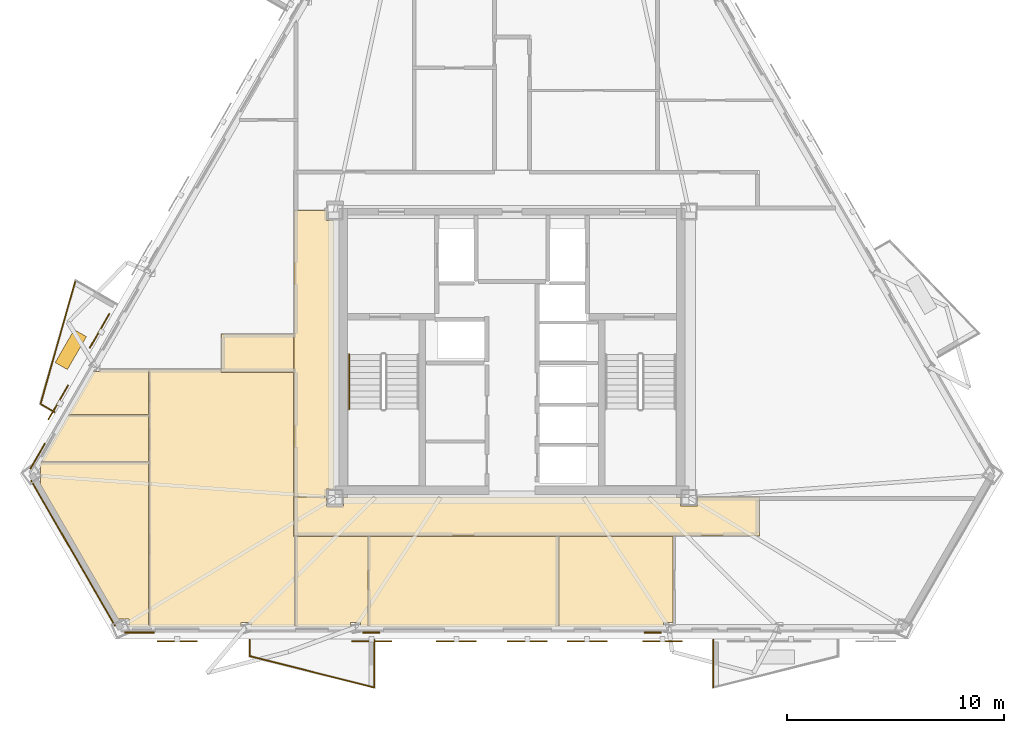
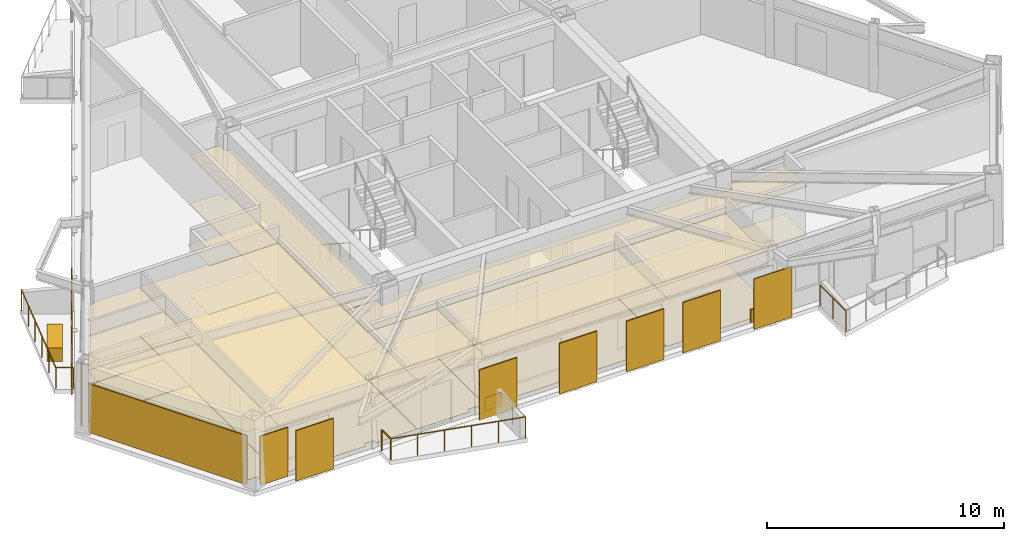
# One storey, part 7 of 9: 26 coverings, 8 shading devices, 7 railings.
"""IFC4 building model written with IfcOpenShell, lengths in metres."""

import ifcopenshell
import ifcopenshell.guid

model = None  # the IFC model being written
_history = None  # IfcOwnerHistory: only IFC2X3 demands one
_inside = {}  # id of a spatial element -> (the spatial element, [elements in it])
_under = {}  # id of a project, library or spatial element -> (it, [spatial elements below it])
_declared = {}  # id of a project -> (the project, [libraries it declares])
_typed = {}  # id of a type object -> (the type object, [elements of that type])
_made_of = {}  # id of a material, layer set ... -> (it, [elements and type objects made of it])


def new_model(schema):
    """Start an empty IFC model of exactly this schema.

    Asked for "IFC4X3", IfcOpenShell would pick the latest addendum, in which some entities
    have other attributes; the version numbers below select the first issue.
    IFC2X3 requires an IfcOwnerHistory on every rooted entity: one is made here for all.
    """
    global model, _history
    if schema == "IFC4X3":
        model = ifcopenshell.file(schema_version=(4, 3, 0, 0))
    else:
        model = ifcopenshell.file(schema=schema)
    _inside.clear()
    _under.clear()
    _declared.clear()
    _typed.clear()
    _made_of.clear()
    _history = None
    if model.schema == "IFC2X3":
        org = make("IfcOrganization", Name="unknown")
        user = make(
            "IfcPersonAndOrganization",
            ThePerson=make("IfcPerson", FamilyName="unknown"),
            TheOrganization=org,
        )
        app = make(
            "IfcApplication",
            ApplicationDeveloper=org,
            Version="unknown",
            ApplicationFullName="unknown",
            ApplicationIdentifier="unknown",
        )
        _history = make(
            "IfcOwnerHistory",
            OwningUser=user,
            OwningApplication=app,
            ChangeAction="ADDED",
            CreationDate=0,
        )
    return model


def make(cls, **values):
    """One entity of the class cls with the attributes given. An attribute that is None is left unset."""
    return model.create_entity(
        cls, **{name: value for name, value in values.items() if value is not None}
    )


def rooted(cls, **values):
    """An entity with a GlobalId (a new one), such as an element, a storey or a relation."""
    return make(cls, GlobalId=ifcopenshell.guid.new(), OwnerHistory=_history, **values)


def si_unit(unit_type, name, prefix=None):
    """IfcSIUnit, for example si_unit("LENGTHUNIT", "METRE", prefix="MILLI")."""
    return make("IfcSIUnit", UnitType=unit_type, Prefix=prefix, Name=name)


def assignment(units):
    """IfcUnitAssignment: the units of a project."""
    return None if units is None else make("IfcUnitAssignment", Units=units)


def point(xyz):
    """IfcCartesianPoint."""
    return None if xyz is None else make("IfcCartesianPoint", Coordinates=xyz)


def direction(xyz):
    """IfcDirection."""
    return None if xyz is None else make("IfcDirection", DirectionRatios=xyz)


def frame(location, z_axis=None, x_axis=None):
    """IfcAxis2Placement3D, a coordinate frame: its origin and axes. An axis left out is left unset."""
    return make(
        "IfcAxis2Placement3D",
        Location=point(location),
        Axis=direction(z_axis),
        RefDirection=direction(x_axis),
    )


def frame_2d(location, x_axis=None):
    """IfcAxis2Placement2D, a coordinate frame in the plane: its origin and x axis."""
    return make(
        "IfcAxis2Placement2D", Location=point(location), RefDirection=direction(x_axis)
    )


def origin():
    """The frame at (0, 0, 0) with its axes left unset."""
    return frame((0.0, 0.0, 0.0))


def origin_2d():
    """The frame at (0, 0) in the plane with its x axis left unset."""
    return frame_2d((0.0, 0.0))


def place(relative_to, where):
    """IfcLocalPlacement: puts the frame where relative to a parent placement (None: the world)."""
    return make(
        "IfcLocalPlacement", PlacementRelTo=relative_to, RelativePlacement=where
    )


def context(
    kind, dimensions, precision=None, world=None, true_north=None, identifier=None
):
    """IfcGeometricRepresentationContext, for example the 3D "Model" context."""
    return make(
        "IfcGeometricRepresentationContext",
        ContextIdentifier=identifier,
        ContextType=kind,
        CoordinateSpaceDimension=dimensions,
        Precision=precision,
        WorldCoordinateSystem=world,
        TrueNorth=true_north,
    )


def subcontext(parent, identifier, kind, view, scale=None):
    """IfcGeometricRepresentationSubContext, for example "Body" below "Model"."""
    return make(
        "IfcGeometricRepresentationSubContext",
        ContextIdentifier=identifier,
        ContextType=kind,
        ParentContext=parent,
        TargetScale=scale,
        TargetView=view,
    )


def project(units=None, contexts=None):
    """IfcProject with its units and contexts."""
    return rooted(
        "IfcProject",
        Name="project",
        RepresentationContexts=contexts,
        UnitsInContext=assignment(units),
    )


def spatial(cls, under=None, at=None, **own):
    """A site, building, storey or space (cls), placed at a placement, below another one or the project."""
    s = rooted(cls, ObjectPlacement=at, **own)
    if under is not None:
        _under.setdefault(under.id(), (under, []))[1].append(s)
    return s


def polyline(points):
    """IfcPolyline through the points."""
    return make("IfcPolyline", Points=[point(p) for p in points])


def profile(cls, at=None, kind="AREA", **sizes):
    """A parametric profile (cls). Its sizes go by their IFC names, for example OverallWidth=200.0."""
    return make(cls, ProfileType=kind, Position=at, **sizes)


def rectangle(**sizes):
    """IfcRectangleProfileDef."""
    return profile("IfcRectangleProfileDef", **sizes)


def circle(**sizes):
    """IfcCircleProfileDef."""
    return profile("IfcCircleProfileDef", **sizes)


def outline(outer, holes=None, kind="AREA"):
    """IfcArbitraryClosedProfileDef: a profile drawn as a closed curve; with holes, ...WithVoids."""
    if holes is None:
        return make("IfcArbitraryClosedProfileDef", ProfileType=kind, OuterCurve=outer)
    return make(
        "IfcArbitraryProfileDefWithVoids",
        ProfileType=kind,
        OuterCurve=outer,
        InnerCurves=holes,
    )


def extrude(swept, where, along, depth):
    """IfcExtrudedAreaSolid: the profile swept, set in the frame where, extruded along a direction by depth."""
    return make(
        "IfcExtrudedAreaSolid",
        SweptArea=swept,
        Position=where,
        ExtrudedDirection=direction(along),
        Depth=depth,
    )


def shape(context_of_items, identifier, shape_type, items):
    """IfcShapeRepresentation: the items that make up one representation, for example the "Body"."""
    return make(
        "IfcShapeRepresentation",
        ContextOfItems=context_of_items,
        RepresentationIdentifier=identifier,
        RepresentationType=shape_type,
        Items=items,
    )


def material(Name=None, Category=None):
    """IfcMaterial."""
    return make("IfcMaterial", Name=Name, Category=Category)


def layer(
    of_material, thickness, ventilated=None, Name=None, Category=None, Priority=None
):
    """IfcMaterialLayer: one layer of a wall or slab, of a material (None: an air gap)."""
    return make(
        "IfcMaterialLayer",
        Material=of_material,
        LayerThickness=thickness,
        IsVentilated=ventilated,
        Name=Name,
        Category=Category,
        Priority=Priority,
    )


def layer_set(layers, Name=None):
    """IfcMaterialLayerSet."""
    return make("IfcMaterialLayerSet", MaterialLayers=layers, LayerSetName=Name)


def made_of(thing, what):
    """Note that an element or type object is made of a material, layer set ...; save() writes the relation."""
    if what is not None:
        _made_of.setdefault(what.id(), (what, []))[1].append(thing)
    return thing


def type_object(cls, material=None, **own):
    """A type object (cls), such as IfcWallType, which elements share."""
    return made_of(rooted(cls, **own), material)


def element(
    cls,
    number,
    at=None,
    inside=None,
    cuts=None,
    type_object=None,
    material=None,
    context=None,
    identifier="Body",
    shape_type=None,
    held_by="IfcProductDefinitionShape",
    body=None,
    shapes=None,
    **own,
):
    """One element of the class cls, such as IfcWall. Its Tag is "e" and its number.

    at: its placement. inside: the storey or other place that contains it. cuts: it is an
    opening in that element (IfcRelVoidsElement). A single representation is given by context,
    identifier, shape_type and body (its items); several are given by shapes. held_by: the class
    of the entity that holds the representations. save() writes the other relations.
    """
    e = rooted(cls, Tag="e%d" % number, ObjectPlacement=at, **own)
    if body is not None:
        shapes = [shape(context, identifier, shape_type, body)]
    if shapes is not None:
        e.Representation = make(held_by, Representations=shapes)
    if inside is not None:
        _inside.setdefault(inside.id(), (inside, []))[1].append(e)
    if cuts is not None:
        rooted(
            "IfcRelVoidsElement", RelatingBuildingElement=cuts, RelatedOpeningElement=e
        )
    if type_object is not None:
        _typed.setdefault(type_object.id(), (type_object, []))[1].append(e)
    return made_of(e, material)


def aggregate(whole, parts):
    """IfcRelAggregates: a whole, such as a stair, and the parts it consists of."""
    return rooted("IfcRelAggregates", RelatingObject=whole, RelatedObjects=parts)


def save(model, path):
    """Write the relations noted so far, then the file.

    IfcRelAggregates (storeys below a building ...), IfcRelContainedInSpatialStructure (elements
    in a storey), IfcRelDefinesByType, IfcRelAssociatesMaterial and IfcRelDeclares: one each for
    every whole, place, type object, material and project.
    """
    for whole, parts in _under.values():
        aggregate(whole, parts)
    for where, things in _inside.values():
        rooted(
            "IfcRelContainedInSpatialStructure",
            RelatedElements=things,
            RelatingStructure=where,
        )
    for kind, things in _typed.values():
        rooted("IfcRelDefinesByType", RelatedObjects=things, RelatingType=kind)
    for what, things in _made_of.values():
        rooted("IfcRelAssociatesMaterial", RelatedObjects=things, RelatingMaterial=what)
    for by, libraries in _declared.values():
        rooted("IfcRelDeclares", RelatingContext=by, RelatedDefinitions=libraries)
    model.write(path)


model = new_model("IFC4")

# Units and contexts
model_context = context("Model", 3, precision=1e-05, world=origin(), true_north=direction((0.0, 1.0)))
body_context = subcontext(model_context, "Body", "Model", "MODEL_VIEW")
ifc_project = project(units=[si_unit("LENGTHUNIT", "METRE"), si_unit("AREAUNIT", "SQUARE_METRE"), si_unit("VOLUMEUNIT", "CUBIC_METRE"), si_unit("PLANEANGLEUNIT", "RADIAN"), si_unit("MASSUNIT", "GRAM", prefix="KILO")], contexts=[model_context])

# Site, building, storey
site_placement = place(None, origin())
site = spatial("IfcSite", under=ifc_project, at=site_placement, CompositionType="ELEMENT")
building_placement = place(site_placement, origin())
building = spatial("IfcBuilding", under=site, at=building_placement, Name="Oramaril Tower", CompositionType="ELEMENT")
storey_placement = place(building_placement, frame((0.0, 0.0, 178.199951171875)))
storey = spatial("IfcBuildingStorey", under=building, at=storey_placement, Name="L47", CompositionType="ELEMENT", Elevation=178.199951171875)

# Coverings
ifc_material_1 = material(Name="Mineral Fibre Acoustic Ceiling")
ifc_layer_1 = layer(ifc_material_1, 0.02001953125)
ifc_layer_set_1 = layer_set([ifc_layer_1], Name="CVT-CEIL")
covering_type_1 = type_object("IfcCoveringType", Name="CVT-CEIL", PredefinedType="CEILING", material=ifc_layer_set_1)
covering_1_placement = place(storey_placement, frame((0.0, 0.0, 2.511962890625)))
element("IfcCovering", 1, at=covering_1_placement, inside=storey, type_object=covering_type_1, Name="L47 Acoustic Suspended Ceiling 1", PredefinedType="CEILING", context=body_context, shape_type="SweptSolid", body=[
    extrude(outline(polyline([(28.955078125, 10.60498046875), (29.7451171875, 10.60498046875), (29.7451171875, 11.030029296875), (45.2548828125, 11.030029296875), (45.2548828125, 10.60498046875), (46.044921875, 10.60498046875), (46.044921875, 11.030029296875), (48.8798828125, 11.030029296875), (48.8798828125, 9.219970703125), (27.469970703125, 9.219970703125), (27.469970703125, 11.030029296875), (28.955078125, 11.030029296875), (28.955078125, 10.60498046875)])), origin(), (0.0, 0.0, 1.0), 0.02001953125),
])
covering_2_placement = place(storey_placement, frame((0.0, 0.0, 2.511962890625)))
element("IfcCovering", 2, at=covering_2_placement, inside=storey, type_object=covering_type_1, Name="L47 Acoustic Suspended Ceiling 3", PredefinedType="CEILING", context=body_context, shape_type="SweptSolid", body=[
    extrude(outline(polyline([(28.955078125, 23.7548828125), (29.280029296875, 23.7548828125), (29.280029296875, 11.39501953125), (28.955078125, 11.39501953125), (28.955078125, 11.050048828125), (27.469970703125, 11.050048828125), (27.469970703125, 24.219970703125), (28.955078125, 24.219970703125), (28.955078125, 23.7548828125)])), origin(), (0.0, 0.0, 1.0), 0.02001953125),
])
covering_3_placement = place(storey_placement, frame((0.0, 0.0, 2.511962890625)))
element("IfcCovering", 3, at=covering_3_placement, inside=storey, type_object=covering_type_1, Name="L47 Acoustic Suspended Ceiling 5", PredefinedType="CEILING", context=body_context, shape_type="SweptSolid", body=[
    extrude(outline(polyline([(24.1201171875, 16.77001953125), (24.1201171875, 18.530029296875), (27.449951171875, 18.530029296875), (27.449951171875, 16.77001953125), (24.1201171875, 16.77001953125)])), origin(), (0.0, 0.0, 1.0), 0.02001953125),
])
covering_4_placement = place(storey_placement, frame((0.0, 0.0, 2.511962890625)))
element("IfcCovering", 4, at=covering_4_placement, inside=storey, type_object=covering_type_1, Name="L47 Acoustic Suspended Ceiling 6", PredefinedType="CEILING", context=body_context, shape_type="SweptSolid", body=[
    extrude(outline(polyline([(30.882080078125, 5.064697265625), (30.882080078125, 9.199951171875), (39.64208984375, 9.199951171875), (39.64208984375, 5.064697265625), (30.882080078125, 5.064697265625)])), origin(), (0.0, 0.0, 1.0), 0.02001953125),
])
covering_5_placement = place(storey_placement, frame((0.0, 0.0, 2.511962890625)))
element("IfcCovering", 5, at=covering_5_placement, inside=storey, type_object=covering_type_1, Name="L47 Acoustic Suspended Ceiling 7", PredefinedType="CEILING", context=body_context, shape_type="SweptSolid", body=[
    extrude(outline(polyline([(30.52099609375, 5.248291015625), (30.06982421875, 5.248291015625), (30.06982421875, 5.064697265625), (27.508056640625, 5.064697265625), (27.508056640625, 9.199951171875), (30.862060546875, 9.199951171875), (30.862060546875, 5.064697265625), (30.52099609375, 5.064697265625), (30.52099609375, 5.248291015625)])), origin(), (0.0, 0.0, 1.0), 0.02001953125),
])
covering_6_placement = place(storey_placement, frame((0.0, 0.0, 2.511962890625)))
element("IfcCovering", 6, at=covering_6_placement, inside=storey, type_object=covering_type_1, Name="L47 Acoustic Suspended Ceiling 9", PredefinedType="CEILING", context=body_context, shape_type="SweptSolid", body=[
    extrude(outline(polyline([(44.47900390625, 5.248291015625), (44.47900390625, 5.064697265625), (39.662109375, 5.064697265625), (39.662109375, 9.199951171875), (44.9091796875, 9.199951171875), (44.9091796875, 5.248291015625), (44.47900390625, 5.248291015625)])), origin(), (0.0, 0.0, 1.0), 0.02001953125),
])
covering_7_placement = place(storey_placement, frame((0.0, 0.0, 2.511962890625)))
element("IfcCovering", 7, at=covering_7_placement, inside=storey, type_object=covering_type_1, Name="L47 Acoustic Suspended Ceiling 10", PredefinedType="CEILING", context=body_context, shape_type="SweptSolid", body=[
    extrude(outline(polyline([(25.482177734375, 5.064697265625), (25.482177734375, 5.248291015625), (25.022216796875, 5.248291015625), (25.022216796875, 5.064697265625), (20.7939453125, 5.064697265625), (20.7939453125, 16.89208984375), (24.10009765625, 16.89208984375), (24.10009765625, 16.77001953125), (24.10009765625, 16.76806640625), (24.100341796875, 16.76611328125), (24.100830078125, 16.76416015625), (24.1015625, 16.76220703125), (24.102294921875, 16.760498046875), (24.103515625, 16.7587890625), (24.1044921875, 16.75732421875), (24.10595703125, 16.755859375), (24.107421875, 16.75439453125), (24.10888671875, 16.75341796875), (24.110595703125, 16.75244140625), (24.1123046875, 16.75146484375), (24.1142578125, 16.7509765625), (24.1162109375, 16.75048828125), (24.117919921875, 16.75), (24.1201171875, 16.75), (27.449951171875, 16.75), (27.449951171875, 11.050048828125), (27.4501953125, 11.048095703125), (27.450439453125, 11.046142578125), (27.450927734375, 11.044189453125), (27.451416015625, 11.042236328125), (27.452392578125, 11.04052734375), (27.45263671875, 11.0400390625), (27.452392578125, 11.039306640625), (27.451416015625, 11.03759765625), (27.450927734375, 11.035888671875), (27.450439453125, 11.033935546875), (27.4501953125, 11.031982421875), (27.449951171875, 11.030029296875), (27.449951171875, 9.219970703125), (27.4501953125, 9.218017578125), (27.450439453125, 9.216064453125), (27.450927734375, 9.214111328125), (27.451416015625, 9.21240234375), (27.452392578125, 9.210693359375), (27.453369140625, 9.208984375), (27.45458984375, 9.207275390625), (27.455810546875, 9.205810546875), (27.457275390625, 9.20458984375), (27.458984375, 9.203369140625), (27.460693359375, 9.202392578125), (27.46240234375, 9.201416015625), (27.464111328125, 9.200927734375), (27.466064453125, 9.200439453125), (27.468017578125, 9.2001953125), (27.469970703125, 9.199951171875), (27.488037109375, 9.199951171875), (27.488037109375, 5.064697265625), (25.482177734375, 5.064697265625)])), origin(), (0.0, 0.0, 1.0), 0.02001953125),
])
covering_8_placement = place(storey_placement, frame((0.0, 0.0, 2.511962890625)))
element("IfcCovering", 8, at=covering_8_placement, inside=storey, type_object=covering_type_1, Name="L47 Acoustic Suspended Ceiling 11", PredefinedType="CEILING", context=body_context, shape_type="SweptSolid", body=[
    extrude(outline(polyline([(19.8740234375, 5.064697265625), (19.8740234375, 5.39892578125), (19.373291015625, 5.39892578125), (15.76220703125, 11.65380859375), (15.8046875, 11.65380859375), (15.8046875, 12.45654296875), (15.72607421875, 12.45654296875), (15.832763671875, 12.6416015625), (20.77392578125, 12.6416015625), (20.77392578125, 5.064697265625), (19.8740234375, 5.064697265625)])), origin(), (0.0, 0.0, 1.0), 0.02001953125),
])
covering_9_placement = place(storey_placement, frame((0.0, 0.0, 2.511962890625)))
element("IfcCovering", 9, at=covering_9_placement, inside=storey, type_object=covering_type_1, Name="L47 Acoustic Suspended Ceiling 12", PredefinedType="CEILING", context=body_context, shape_type="SweptSolid", body=[
    extrude(outline(polyline([(17.080810546875, 14.80322265625), (20.77392578125, 14.80322265625), (20.77392578125, 12.66162109375), (15.84423828125, 12.66162109375), (17.080810546875, 14.80322265625)])), origin(), (0.0, 0.0, 1.0), 0.02001953125),
])
covering_10_placement = place(storey_placement, frame((0.0, 0.0, 2.511962890625)))
element("IfcCovering", 10, at=covering_10_placement, inside=storey, type_object=covering_type_1, Name="L47 Acoustic Suspended Ceiling 13", PredefinedType="CEILING", context=body_context, shape_type="SweptSolid", body=[
    extrude(outline(polyline([(18.233642578125, 16.800048828125), (18.538330078125, 16.800048828125), (18.538330078125, 16.89208984375), (20.77392578125, 16.89208984375), (20.77392578125, 14.8232421875), (17.09228515625, 14.8232421875), (18.233642578125, 16.800048828125)])), origin(), (0.0, 0.0, 1.0), 0.02001953125),
])
ifc_material_2 = material(Name="Warm Cream Limestone", Category="masonry")
ifc_layer_2 = layer(ifc_material_2, 0.050048828125)
ifc_layer_set_2 = layer_set([ifc_layer_2], Name="CVT-CLD")
covering_type_2 = type_object("IfcCoveringType", Name="CVT-CLD", PredefinedType="CLADDING", material=ifc_layer_set_2)
covering_11_placement = place(storey_placement, frame((17.30029296875, 8.437744140625, 0.0400390625), z_axis=(0.0, 0.0, 1.0), x_axis=(0.5, -0.866025403784, 0.0)))
element("IfcCovering", 11, at=covering_11_placement, inside=storey, type_object=covering_type_2, Name="L47 Warm Cream Limestone Cladding", PredefinedType="CLADDING", context=body_context, shape_type="SweptSolid", body=[
    extrude(rectangle(XDim=7.73291015625, YDim=0.050048828125, at=origin_2d()), origin(), (0.0, 0.0, 1.0), 2.52001953125),
])
covering_12_placement = place(storey_placement, frame((20.35400390625, 4.788818359375, 0.0400390625), z_axis=(0.0, 0.0, 1.0), x_axis=(1.0, 0.0, 0.0)))
element("IfcCovering", 12, at=covering_12_placement, inside=storey, type_object=covering_type_2, Name="L47 Warm Cream Limestone Cladding", PredefinedType="CLADDING", context=body_context, shape_type="SweptSolid", body=[
    extrude(rectangle(XDim=1.35009765625, YDim=0.050048828125, at=origin_2d()), origin(), (0.0, 0.0, 1.0), 2.52001953125),
])
for number, where, z_axis, x_axis, name in (
    (13, (31.021484375, 4.788818359375, 0.0400390625), (0.0, 0.0, 1.0), (1.0, 0.0, 0.0), "L47 Warm Cream Limestone Spandrel Cladding"),
    (14, (43.978515625, 4.788818359375, 0.0400390625), (0.0, 0.0, 1.0), (1.0, 0.0, 0.0), "L47 Warm Cream Limestone Spandrel Cladding"),
):
    element("IfcCovering", number, at=place(storey_placement, frame(where, z_axis=z_axis, x_axis=x_axis)), inside=storey, type_object=covering_type_2, Name=name, PredefinedType="CLADDING", context=body_context, shape_type="SweptSolid", body=[
        extrude(rectangle(XDim=0.800048828125, YDim=0.050048828125, at=origin_2d()), origin(), (0.0, 0.0, 1.0), 0.679931640625),
    ])
covering_13_placement = place(storey_placement, frame((15.6669921875, 12.90673828125, 0.0400390625), z_axis=(0.0, 0.0, 1.0), x_axis=(-0.5, -0.866025403784, 0.0)))
element("IfcCovering", 15, at=covering_13_placement, inside=storey, type_object=covering_type_2, Name="L47 Warm Cream Limestone Cladding", PredefinedType="CLADDING", context=body_context, shape_type="SweptSolid", body=[
    extrude(rectangle(XDim=1.35009765625, YDim=0.050048828125, at=origin_2d()), origin(), (0.0, 0.0, 1.0), 2.52001953125),
])
covering_14_placement = place(storey_placement, frame((17.1943359375, 17.80908203125, 0.0), z_axis=(0.0, 0.0, 1.0), x_axis=(-0.5, -0.866025403784, 0.0)))
element("IfcCovering", 16, at=covering_14_placement, inside=storey, type_object=covering_type_2, Name="L47 Structural Tree Planter Box L47-BAL-NW2", PredefinedType="CLADDING", context=body_context, shape_type="SweptSolid", body=[
    extrude(rectangle(XDim=1.75, YDim=0.64990234375, at=origin_2d()), origin(), (0.0, 0.0, 1.0), 0.699951171875),
])
ifc_material_3 = material(Name="Honed Quartzite Stone Flooring", Category="masonry")
ifc_layer_3 = layer(ifc_material_3, 0.02490234375)
ifc_layer_set_3 = layer_set([ifc_layer_3], Name="CVT-FLR")
covering_type_3 = type_object("IfcCoveringType", Name="CVT-FLR", PredefinedType="FLOORING", material=ifc_layer_set_3)
covering_15_placement = place(storey_placement, origin())
element("IfcCovering", 17, at=covering_15_placement, inside=storey, type_object=covering_type_3, Name="L47 Honed Stone Floor Finish 1", PredefinedType="FLOORING", context=body_context, shape_type="SweptSolid", body=[
    extrude(outline(polyline([(28.955078125, 10.60498046875), (29.7451171875, 10.60498046875), (29.7451171875, 11.030029296875), (45.2548828125, 11.030029296875), (45.2548828125, 10.60498046875), (46.044921875, 10.60498046875), (46.044921875, 11.030029296875), (48.8798828125, 11.030029296875), (48.8798828125, 9.219970703125), (27.469970703125, 9.219970703125), (27.469970703125, 11.030029296875), (28.955078125, 11.030029296875), (28.955078125, 10.60498046875)])), origin(), (0.0, 0.0, 1.0), 0.025146484375),
])
covering_16_placement = place(storey_placement, origin())
element("IfcCovering", 18, at=covering_16_placement, inside=storey, type_object=covering_type_3, Name="L47 Honed Stone Floor Finish 3", PredefinedType="FLOORING", context=body_context, shape_type="SweptSolid", body=[
    extrude(outline(polyline([(28.955078125, 23.7548828125), (29.280029296875, 23.7548828125), (29.280029296875, 11.39501953125), (28.955078125, 11.39501953125), (28.955078125, 11.050048828125), (27.469970703125, 11.050048828125), (27.469970703125, 24.219970703125), (28.955078125, 24.219970703125), (28.955078125, 23.7548828125)])), origin(), (0.0, 0.0, 1.0), 0.025146484375),
])
covering_17_placement = place(storey_placement, origin())
element("IfcCovering", 19, at=covering_17_placement, inside=storey, type_object=covering_type_3, Name="L47 Honed Stone Floor Finish 5", PredefinedType="FLOORING", context=body_context, shape_type="SweptSolid", body=[
    extrude(outline(polyline([(24.1201171875, 16.77001953125), (24.1201171875, 18.530029296875), (27.449951171875, 18.530029296875), (27.449951171875, 16.77001953125), (24.1201171875, 16.77001953125)])), origin(), (0.0, 0.0, 1.0), 0.025146484375),
])
covering_18_placement = place(storey_placement, origin())
element("IfcCovering", 20, at=covering_18_placement, inside=storey, type_object=covering_type_3, Name="L47 Honed Stone Floor Finish 6", PredefinedType="FLOORING", context=body_context, shape_type="SweptSolid", body=[
    extrude(outline(polyline([(30.882080078125, 5.064697265625), (30.882080078125, 9.199951171875), (39.64208984375, 9.199951171875), (39.64208984375, 5.064697265625), (30.882080078125, 5.064697265625)])), origin(), (0.0, 0.0, 1.0), 0.025146484375),
])
covering_19_placement = place(storey_placement, origin())
element("IfcCovering", 21, at=covering_19_placement, inside=storey, type_object=covering_type_3, Name="L47 Honed Stone Floor Finish 7", PredefinedType="FLOORING", context=body_context, shape_type="SweptSolid", body=[
    extrude(outline(polyline([(30.52099609375, 5.248291015625), (30.06982421875, 5.248291015625), (30.06982421875, 5.064697265625), (27.508056640625, 5.064697265625), (27.508056640625, 9.199951171875), (30.862060546875, 9.199951171875), (30.862060546875, 5.064697265625), (30.52099609375, 5.064697265625), (30.52099609375, 5.248291015625)])), origin(), (0.0, 0.0, 1.0), 0.025146484375),
])
covering_20_placement = place(storey_placement, origin())
element("IfcCovering", 22, at=covering_20_placement, inside=storey, type_object=covering_type_3, Name="L47 Honed Stone Floor Finish 9", PredefinedType="FLOORING", context=body_context, shape_type="SweptSolid", body=[
    extrude(outline(polyline([(44.47900390625, 5.248291015625), (44.47900390625, 5.064697265625), (39.662109375, 5.064697265625), (39.662109375, 9.199951171875), (44.9091796875, 9.199951171875), (44.9091796875, 5.248291015625), (44.47900390625, 5.248291015625)])), origin(), (0.0, 0.0, 1.0), 0.025146484375),
])
covering_21_placement = place(storey_placement, origin())
element("IfcCovering", 23, at=covering_21_placement, inside=storey, type_object=covering_type_3, Name="L47 Honed Stone Floor Finish 10", PredefinedType="FLOORING", context=body_context, shape_type="SweptSolid", body=[
    extrude(outline(polyline([(25.482177734375, 5.064697265625), (25.482177734375, 5.248291015625), (25.022216796875, 5.248291015625), (25.022216796875, 5.064697265625), (20.7939453125, 5.064697265625), (20.7939453125, 16.89208984375), (24.10009765625, 16.89208984375), (24.10009765625, 16.77001953125), (24.10009765625, 16.76806640625), (24.100341796875, 16.76611328125), (24.100830078125, 16.76416015625), (24.1015625, 16.76220703125), (24.102294921875, 16.760498046875), (24.103515625, 16.7587890625), (24.1044921875, 16.75732421875), (24.10595703125, 16.755859375), (24.107421875, 16.75439453125), (24.10888671875, 16.75341796875), (24.110595703125, 16.75244140625), (24.1123046875, 16.75146484375), (24.1142578125, 16.7509765625), (24.1162109375, 16.75048828125), (24.117919921875, 16.75), (24.1201171875, 16.75), (27.449951171875, 16.75), (27.449951171875, 11.050048828125), (27.4501953125, 11.048095703125), (27.450439453125, 11.046142578125), (27.450927734375, 11.044189453125), (27.451416015625, 11.042236328125), (27.452392578125, 11.04052734375), (27.45263671875, 11.0400390625), (27.452392578125, 11.039306640625), (27.451416015625, 11.03759765625), (27.450927734375, 11.035888671875), (27.450439453125, 11.033935546875), (27.4501953125, 11.031982421875), (27.449951171875, 11.030029296875), (27.449951171875, 9.219970703125), (27.4501953125, 9.218017578125), (27.450439453125, 9.216064453125), (27.450927734375, 9.214111328125), (27.451416015625, 9.21240234375), (27.452392578125, 9.210693359375), (27.453369140625, 9.208984375), (27.45458984375, 9.207275390625), (27.455810546875, 9.205810546875), (27.457275390625, 9.20458984375), (27.458984375, 9.203369140625), (27.460693359375, 9.202392578125), (27.46240234375, 9.201416015625), (27.464111328125, 9.200927734375), (27.466064453125, 9.200439453125), (27.468017578125, 9.2001953125), (27.469970703125, 9.199951171875), (27.488037109375, 9.199951171875), (27.488037109375, 5.064697265625), (25.482177734375, 5.064697265625)])), origin(), (0.0, 0.0, 1.0), 0.025146484375),
])
covering_22_placement = place(storey_placement, origin())
element("IfcCovering", 24, at=covering_22_placement, inside=storey, type_object=covering_type_3, Name="L47 Honed Stone Floor Finish 11", PredefinedType="FLOORING", context=body_context, shape_type="SweptSolid", body=[
    extrude(outline(polyline([(19.8740234375, 5.064697265625), (19.8740234375, 5.39892578125), (19.373291015625, 5.39892578125), (15.76220703125, 11.65380859375), (15.8046875, 11.65380859375), (15.8046875, 12.45654296875), (15.72607421875, 12.45654296875), (15.832763671875, 12.6416015625), (20.77392578125, 12.6416015625), (20.77392578125, 5.064697265625), (19.8740234375, 5.064697265625)])), origin(), (0.0, 0.0, 1.0), 0.025146484375),
])
covering_23_placement = place(storey_placement, origin())
element("IfcCovering", 25, at=covering_23_placement, inside=storey, type_object=covering_type_3, Name="L47 Honed Stone Floor Finish 12", PredefinedType="FLOORING", context=body_context, shape_type="SweptSolid", body=[
    extrude(outline(polyline([(17.080810546875, 14.80322265625), (20.77392578125, 14.80322265625), (20.77392578125, 12.66162109375), (15.84423828125, 12.66162109375), (17.080810546875, 14.80322265625)])), origin(), (0.0, 0.0, 1.0), 0.025146484375),
])
covering_24_placement = place(storey_placement, origin())
element("IfcCovering", 26, at=covering_24_placement, inside=storey, type_object=covering_type_3, Name="L47 Honed Stone Floor Finish 13", PredefinedType="FLOORING", context=body_context, shape_type="SweptSolid", body=[
    extrude(outline(polyline([(18.233642578125, 16.800048828125), (18.538330078125, 16.800048828125), (18.538330078125, 16.89208984375), (20.77392578125, 16.89208984375), (20.77392578125, 14.8232421875), (17.09228515625, 14.8232421875), (18.233642578125, 16.800048828125)])), origin(), (0.0, 0.0, 1.0), 0.025146484375),
])

# Railings
ifc_material_4 = material(Name="Stainless Steel 316L", Category="steel")
railing_type_1 = type_object("IfcRailingType", Name="RLT-GRD", PredefinedType="GUARDRAIL", material=ifc_material_4)
railing_1_placement = place(storey_placement, frame((31.1533203125, 4.44873046875, 0.0)))
element("IfcRailing", 27, at=railing_1_placement, inside=storey, type_object=railing_type_1, Name="L47 Balcony Guardrail L47-BAL-S1.1", PredefinedType="GUARDRAIL", context=body_context, shape_type="SweptSolid", body=[
    extrude(circle(Radius=0.02392578125, at=origin_2d()), frame((0.0, 0.0, 1.076171875), z_axis=(0.0, -1.0, 0.0), x_axis=(1.0, 0.0, 0.0)), (0.0, 0.0, 1.0), 2.19189453125),
    extrude(circle(Radius=0.02099609375, at=origin_2d()), origin(), (0.0, 0.0, 1.0), 1.052001953125),
    extrude(circle(Radius=0.02099609375, at=origin_2d()), frame((0.0, -1.095947265625, 0.0)), (0.0, 0.0, 1.0), 1.052001953125),
    extrude(circle(Radius=0.02099609375, at=origin_2d()), frame((0.0, -2.19189453125, 0.0)), (0.0, 0.0, 1.0), 1.052001953125),
])
railing_2_placement = place(storey_placement, frame((31.1533203125, 2.2568359375, 0.0)))
element("IfcRailing", 28, at=railing_2_placement, inside=storey, type_object=railing_type_1, Name="L47 Balcony Guardrail L47-BAL-S1.2", PredefinedType="GUARDRAIL", context=body_context, shape_type="SweptSolid", body=[
    extrude(circle(Radius=0.02392578125, at=origin_2d()), frame((0.0, 0.0, 1.076171875), z_axis=(-0.969443611257, 0.245314256807, 0.0), x_axis=(-0.245314256807, -0.969443611257, 0.0)), (0.0, 0.0, 1.0), 5.91064453125),
    extrude(circle(Radius=0.02099609375, at=origin_2d()), origin(), (0.0, 0.0, 1.0), 1.052001953125),
    extrude(circle(Radius=0.02099609375, at=origin_2d()), frame((-1.14599609375, 0.2900390625, 0.0)), (0.0, 0.0, 1.0), 1.052001953125),
    extrude(circle(Radius=0.02099609375, at=origin_2d()), frame((-2.2919921875, 0.580078125, 0.0)), (0.0, 0.0, 1.0), 1.052001953125),
    extrude(circle(Radius=0.02099609375, at=origin_2d()), frame((-3.43798828125, 0.869873046875, 0.0)), (0.0, 0.0, 1.0), 1.052001953125),
    extrude(circle(Radius=0.02099609375, at=origin_2d()), frame((-4.583984375, 1.159912109375, 0.0)), (0.0, 0.0, 1.0), 1.052001953125),
    extrude(circle(Radius=0.02099609375, at=origin_2d()), frame((-5.72998046875, 1.449951171875, 0.0)), (0.0, 0.0, 1.0), 1.052001953125),
])
railing_3_placement = place(storey_placement, frame((25.42333984375, 3.706787109375, 0.0)))
element("IfcRailing", 29, at=railing_3_placement, inside=storey, type_object=railing_type_1, Name="L47 Balcony Guardrail L47-BAL-S1.3", PredefinedType="GUARDRAIL", context=body_context, shape_type="SweptSolid", body=[
    extrude(circle(Radius=0.02392578125, at=origin_2d()), frame((0.0, 0.0, 1.076171875), z_axis=(0.0, 1.0, 0.0), x_axis=(-1.0, 0.0, 0.0)), (0.0, 0.0, 1.0), 0.741943359375),
    extrude(circle(Radius=0.02099609375, at=origin_2d()), origin(), (0.0, 0.0, 1.0), 1.052001953125),
    extrude(circle(Radius=0.02099609375, at=origin_2d()), frame((0.0, 0.741943359375, 0.0)), (0.0, 0.0, 1.0), 1.052001953125),
])
railing_4_placement = place(storey_placement, frame((46.771484375, 2.2568359375, 0.0)))
element("IfcRailing", 30, at=railing_4_placement, inside=storey, type_object=railing_type_1, Name="L47 Balcony Guardrail L47-BAL-S2.3", PredefinedType="GUARDRAIL", context=body_context, shape_type="SweptSolid", body=[
    extrude(circle(Radius=0.02392578125, at=origin_2d()), frame((0.0, 0.0, 1.076171875), z_axis=(0.0, 1.0, 0.0), x_axis=(-1.0, 0.0, 0.0)), (0.0, 0.0, 1.0), 2.19189453125),
    extrude(circle(Radius=0.02099609375, at=origin_2d()), origin(), (0.0, 0.0, 1.0), 1.052001953125),
    extrude(circle(Radius=0.02099609375, at=origin_2d()), frame((0.0, 1.095947265625, 0.0)), (0.0, 0.0, 1.0), 1.052001953125),
    extrude(circle(Radius=0.02099609375, at=origin_2d()), frame((0.0, 2.19189453125, 0.0)), (0.0, 0.0, 1.0), 1.052001953125),
])
railing_5_placement = place(storey_placement, frame((16.44482421875, 14.933837890625, 0.0)))
element("IfcRailing", 31, at=railing_5_placement, inside=storey, type_object=railing_type_1, Name="L47 Balcony Guardrail L47-BAL-NW2.1", PredefinedType="GUARDRAIL", context=body_context, shape_type="SweptSolid", body=[
    extrude(circle(Radius=0.02392578125, at=origin_2d()), frame((0.0, 0.0, 1.076171875), z_axis=(-0.865966403178, 0.500102178127, 0.0), x_axis=(-0.500102178127, -0.865966403178, 0.0)), (0.0, 0.0, 1.0), 0.741943359375),
    extrude(circle(Radius=0.02099609375, at=origin_2d()), origin(), (0.0, 0.0, 1.0), 1.052001953125),
    extrude(circle(Radius=0.02099609375, at=origin_2d()), frame((-0.642578125, 0.37109375, 0.0)), (0.0, 0.0, 1.0), 1.052001953125),
])
railing_6_placement = place(storey_placement, frame((15.80224609375, 15.304931640625, 0.0)))
element("IfcRailing", 32, at=railing_6_placement, inside=storey, type_object=railing_type_1, Name="L47 Balcony Guardrail L47-BAL-NW2.2", PredefinedType="GUARDRAIL", context=body_context, shape_type="SweptSolid", body=[
    extrude(circle(Radius=0.02392578125, at=origin_2d()), frame((0.0, 0.0, 1.076171875), z_axis=(0.272287109361, 0.962216051662, 0.0), x_axis=(-0.962216051662, 0.272287109361, 0.0)), (0.0, 0.0, 1.0), 5.91064453125),
    extrude(circle(Radius=0.02099609375, at=origin_2d()), origin(), (0.0, 0.0, 1.0), 1.052001953125),
    extrude(circle(Radius=0.02099609375, at=origin_2d()), frame((0.32177734375, 1.137451171875, 0.0)), (0.0, 0.0, 1.0), 1.052001953125),
    extrude(circle(Radius=0.02099609375, at=origin_2d()), frame((0.643798828125, 2.27490234375, 0.0)), (0.0, 0.0, 1.0), 1.052001953125),
    extrude(circle(Radius=0.02099609375, at=origin_2d()), frame((0.965576171875, 3.412353515625, 0.0)), (0.0, 0.0, 1.0), 1.052001953125),
    extrude(circle(Radius=0.02099609375, at=origin_2d()), frame((1.28759765625, 4.5498046875, 0.0)), (0.0, 0.0, 1.0), 1.052001953125),
    extrude(circle(Radius=0.02099609375, at=origin_2d()), frame((1.609375, 5.687255859375, 0.0)), (0.0, 0.0, 1.0), 1.052001953125),
])
ifc_material_5 = material(Name="Stainless Steel 316L", Category="steel")
railing_type_2 = type_object("IfcRailingType", Name="RLT-HND", PredefinedType="HANDRAIL", material=ifc_material_5)
railing_7_placement = place(storey_placement, frame((30.0, 17.590087890625, 0.179931640625)))
element("IfcRailing", 33, at=railing_7_placement, inside=storey, type_object=railing_type_2, Name="L47 ST-1 stair handrail 1", PredefinedType="HANDRAIL", context=body_context, shape_type="SweptSolid", body=[
    extrude(circle(Radius=0.02392578125, at=origin_2d()), frame((0.0, 0.0, 0.8759765625), z_axis=(0.0, -0.841162588446, 0.540782303519), x_axis=(1.0, 0.0, 0.0)), (0.0, 0.0, 1.0), 2.995849609375),
    extrude(circle(Radius=0.02099609375, at=origin_2d()), origin(), (0.0, 0.0, 1.0), 0.851806640625),
    extrude(circle(Radius=0.02099609375, at=origin_2d()), frame((0.0, -0.840087890625, 0.5400390625)), (0.0, 0.0, 1.0), 0.851806640625),
    extrude(circle(Radius=0.02099609375, at=origin_2d()), frame((0.0, -1.679931640625, 1.080078125)), (0.0, 0.0, 1.0), 0.851806640625),
    extrude(circle(Radius=0.02099609375, at=origin_2d()), frame((0.0, -2.52001953125, 1.6201171875)), (0.0, 0.0, 1.0), 0.851806640625),
])

# Shading devices
for number, where, z_axis, x_axis, name in (
    (34, (31.03955078125, 4.376708984375, -0.02001953125), (0.0, 0.0, 1.0), (1.0, 0.0, 0.0), "L47 Perforated Ceramic Solar Screen"),
    (35, (34.939453125, 4.376708984375, -0.02001953125), (0.0, 0.0, 1.0), (1.0, 0.0, 0.0), "L47 Perforated Ceramic Solar Screen"),
    (36, (38.20703125, 4.376708984375, -0.02001953125), (0.0, 0.0, 1.0), (1.0, 0.0, 0.0), "L47 Perforated Ceramic Solar Screen"),
    (37, (44.42578125, 4.376708984375, -0.02001953125), (0.0, 0.0, 1.0), (1.0, 0.0, 0.0), "L47 Perforated Ceramic Solar Screen"),
    (38, (40.9580078125, 4.376708984375, -0.02001953125), (0.0, 0.0, 1.0), (1.0, 0.0, 0.0), "L47 Perforated Ceramic Solar Screen"),
    (39, (22.091064453125, 4.376708984375, -0.02001953125), (0.0, 0.0, 1.0), (1.0, 0.0, 0.0), "L47 Perforated Ceramic Solar Screen"),
    (40, (16.619140625, 15.379638671875, -0.02001953125), (0.0, 0.0, 1.0), (-0.5, -0.866025403784, 0.0), "L47 Perforated Ceramic Solar Screen"),
    (41, (18.51708984375, 18.6669921875, -0.02001953125), (0.0, 0.0, 1.0), (-0.5, -0.866025403784, 0.0), "L47 Perforated Ceramic Solar Screen"),
):
    element("IfcShadingDevice", number, at=place(storey_placement, frame(where, z_axis=z_axis, x_axis=x_axis)), inside=storey, Name=name, ObjectType="SCREEN", PredefinedType="USERDEFINED", context=body_context, shape_type="SweptSolid", body=[
        extrude(rectangle(XDim=1.8330078125, YDim=0.050048828125, at=origin_2d()), origin(), (0.0, 0.0, 1.0), 2.60009765625),
    ])

save(model, "model.ifc")
